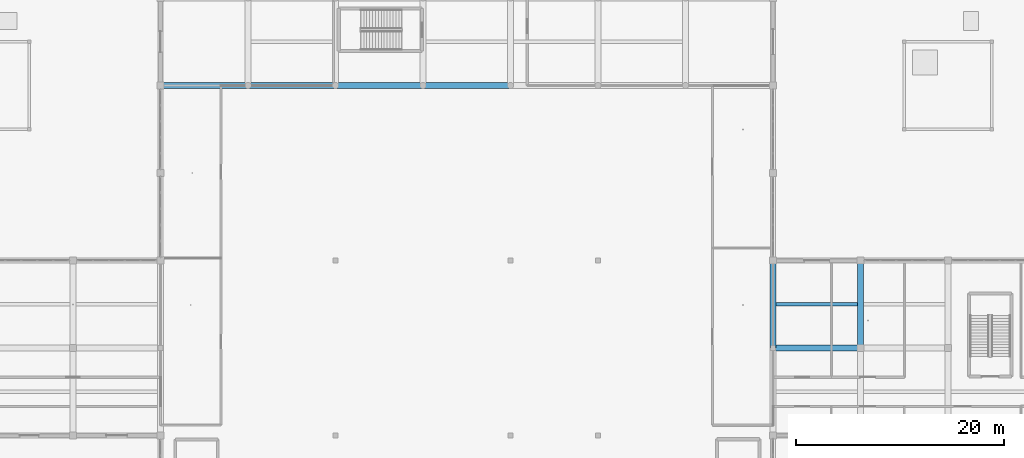
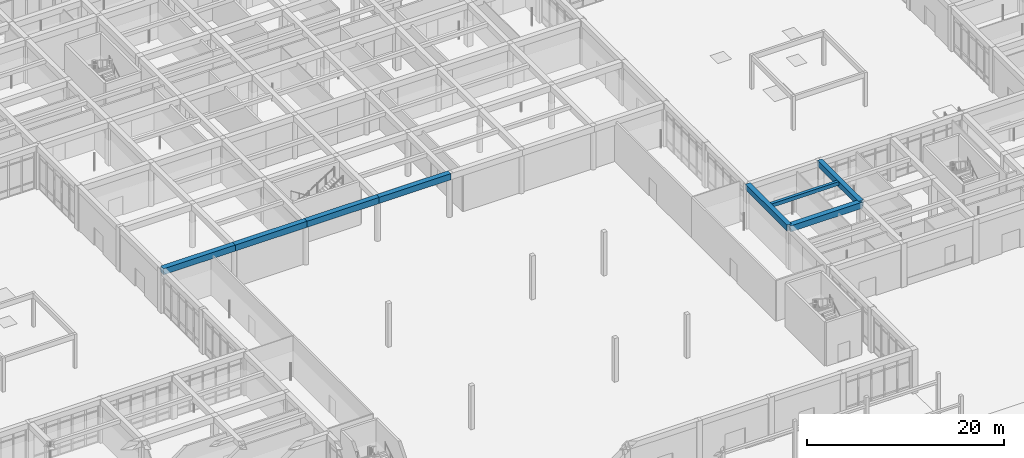
# One storey, part 21 of 167: 8 beams.
"""IFC4 building model written with IfcOpenShell, lengths in metres."""

from ifc_helpers import new_model, si_unit, direction, frame, origin, origin_2d, place, context, subcontext, project, spatial, rectangle, extrude, material, material_profile, profile_set, type_object, element, save


model = new_model("IFC4")

# Units and contexts
model_context = context("Model", 3, precision=1e-05, world=origin(), true_north=direction((0.0, 1.0)))
body_context = subcontext(model_context, "Body", "Model", "MODEL_VIEW")
ifc_project = project(units=[si_unit("LENGTHUNIT", "METRE"), si_unit("AREAUNIT", "SQUARE_METRE"), si_unit("VOLUMEUNIT", "CUBIC_METRE"), si_unit("PLANEANGLEUNIT", "RADIAN"), si_unit("MASSUNIT", "GRAM", prefix="KILO")], contexts=[model_context])

# Site, building, storey
site_placement = place(None, origin())
site = spatial("IfcSite", under=ifc_project, at=site_placement, CompositionType="ELEMENT")
building_placement = place(site_placement, origin())
building = spatial("IfcBuilding", under=site, at=building_placement, Name="Varncliffe General Hospital", CompositionType="ELEMENT")
storey_placement = place(building_placement, origin())
storey = spatial("IfcBuildingStorey", under=building, at=storey_placement, Name="L00", CompositionType="ELEMENT", Elevation=0.0)

# Beams
ifc_material = material(Name="Concrete C35/45 (CSA A23.1 35 MPa)", Category="concrete")
ifc_material_profile_1 = material_profile(ifc_material, rectangle(XDim=0.60009765625, YDim=0.75, at=origin_2d()), Name="RC 600x750")
ifc_profile_set_1 = profile_set([ifc_material_profile_1], Name="Concrete C35/45 (CSA A23.1 35 MPa)")
beam_type_1 = type_object("IfcBeamType", Name="Beam B23 (Int RC 600x750)", PredefinedType="BEAM", material=ifc_profile_set_1)
for number, where, z_axis, x_axis, name in (
    (1, (117.60009765625, 32.39990234375, 5.02490234375), (1.0, 0.0, 0.0), (0.0, 1.0, 0.0), "L00 Primary Beam B23-47"),
    (2, (58.800048828125, 57.60009765625, 5.02490234375), (1.0, 0.0, 0.0), (0.0, 1.0, 0.0), "L00 Primary Beam B23-76"),
):
    element("IfcBeam", number, at=place(storey_placement, frame(where, z_axis=z_axis, x_axis=x_axis)), inside=storey, type_object=beam_type_1, Name=name, PredefinedType="BEAM", context=body_context, shape_type="SweptSolid", body=[
        extrude(rectangle(XDim=0.60009765625, YDim=0.75, at=origin_2d()), origin(), (0.0, 0.0, 1.0), 8.39990234375),
    ])
beam_1_placement = place(storey_placement, frame((67.199951171875, 57.60009765625, 5.02490234375), z_axis=(1.0, 0.0, 0.0), x_axis=(0.0, 1.0, 0.0)))
element("IfcBeam", 3, at=beam_1_placement, inside=storey, type_object=beam_type_1, Name="L00 Primary Beam B23-77", PredefinedType="BEAM", context=body_context, shape_type="SweptSolid", body=[
    extrude(rectangle(XDim=0.60009765625, YDim=0.75, at=origin_2d()), origin(), (0.0, 0.0, 1.0), 8.400146484375),
])
for number, where, z_axis, x_axis, name in (
    (4, (75.60009765625, 57.60009765625, 5.02490234375), (1.0, 0.0, 0.0), (0.0, 1.0, 0.0), "L00 Primary Beam B23-78"),
    (5, (84.0, 57.60009765625, 5.02490234375), (1.0, 0.0, 0.0), (0.0, 1.0, 0.0), "L00 Primary Beam B23-79"),
):
    element("IfcBeam", number, at=place(storey_placement, frame(where, z_axis=z_axis, x_axis=x_axis)), inside=storey, type_object=beam_type_1, Name=name, PredefinedType="BEAM", context=body_context, shape_type="SweptSolid", body=[
        extrude(rectangle(XDim=0.60009765625, YDim=0.75, at=origin_2d()), origin(), (0.0, 0.0, 1.0), 8.39990234375),
    ])
ifc_material_profile_2 = material_profile(ifc_material, rectangle(XDim=0.550048828125, YDim=0.699951171875, at=origin_2d()), Name="RC 550x700")
ifc_profile_set_2 = profile_set([ifc_material_profile_2], Name="Concrete C35/45 (CSA A23.1 35 MPa)")
beam_type_2 = type_object("IfcBeamType", Name="Beam B35 (Int RC 550x700)", PredefinedType="BEAM", material=ifc_profile_set_2)
for number, where, z_axis, x_axis, name in (
    (6, (117.60009765625, 32.39990234375, 5.050048828125), (0.0, 1.0, 0.0), (-1.0, 0.0, 0.0), "L00 Primary Beam B35-419"),
    (7, (126.0, 32.39990234375, 5.050048828125), (0.0, 1.0, 0.0), (-1.0, 0.0, 0.0), "L00 Primary Beam B35-433"),
):
    element("IfcBeam", number, at=place(storey_placement, frame(where, z_axis=z_axis, x_axis=x_axis)), inside=storey, type_object=beam_type_2, Name=name, PredefinedType="BEAM", context=body_context, shape_type="SweptSolid", body=[
        extrude(rectangle(XDim=0.550048828125, YDim=0.699951171875, at=origin_2d()), origin(), (0.0, 0.0, 1.0), 8.400146484375),
    ])
ifc_material_profile_3 = material_profile(ifc_material, rectangle(XDim=0.35009765625, YDim=0.449951171875, at=origin_2d()), Name="RC 350x450")
ifc_profile_set_3 = profile_set([ifc_material_profile_3], Name="Concrete C35/45 (CSA A23.1 35 MPa)")
beam_type_3 = type_object("IfcBeamType", Name="Joist J55 (Int RC 350x450)", PredefinedType="JOIST", material=ifc_profile_set_3)
beam_2_placement = place(storey_placement, frame((117.873046875, 36.60009765625, 5.175048828125), z_axis=(1.0, 0.0, 0.0), x_axis=(0.0, 1.0, 0.0)))
element("IfcBeam", 8, at=beam_2_placement, inside=storey, type_object=beam_type_3, Name="L00 Secondary Floor Rib J55-58", PredefinedType="JOIST", context=body_context, shape_type="SweptSolid", body=[
    extrude(rectangle(XDim=0.35009765625, YDim=0.449951171875, at=origin_2d()), origin(), (0.0, 0.0, 1.0), 7.85400390625),
])

save(model, "model.ifc")
